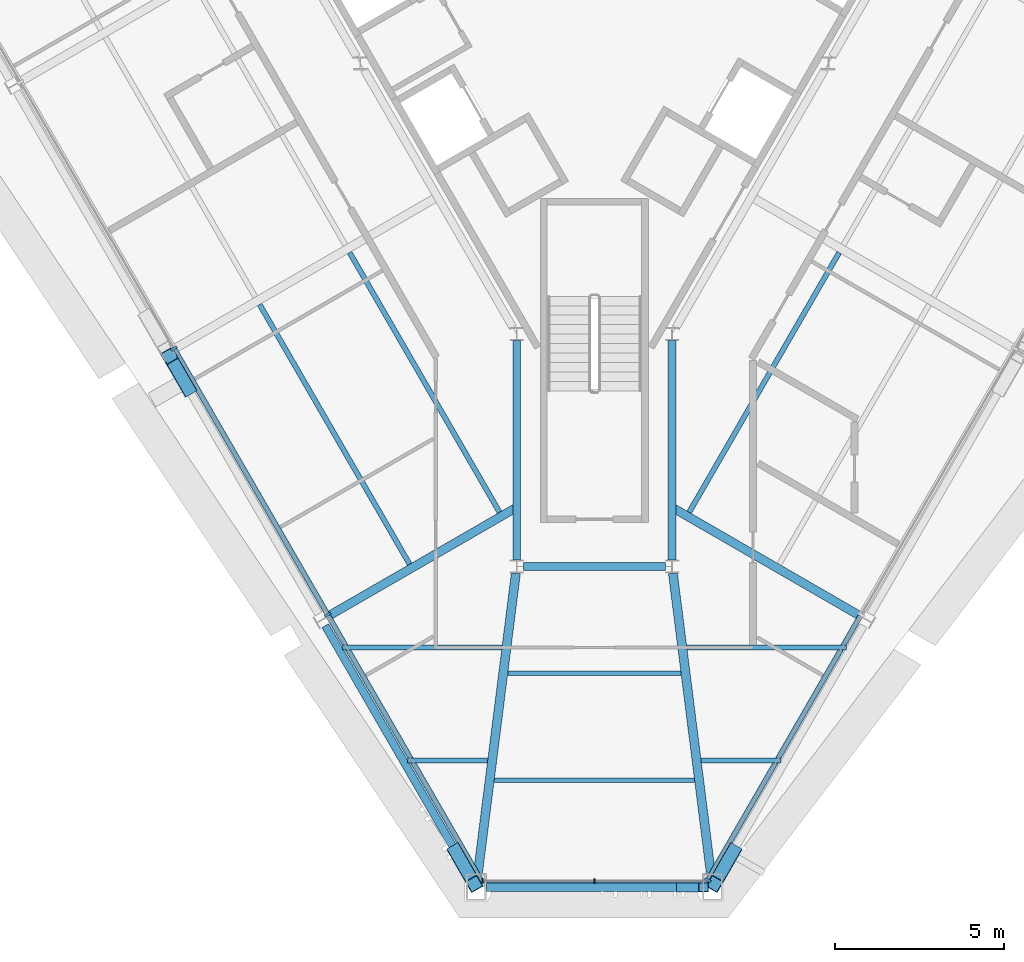
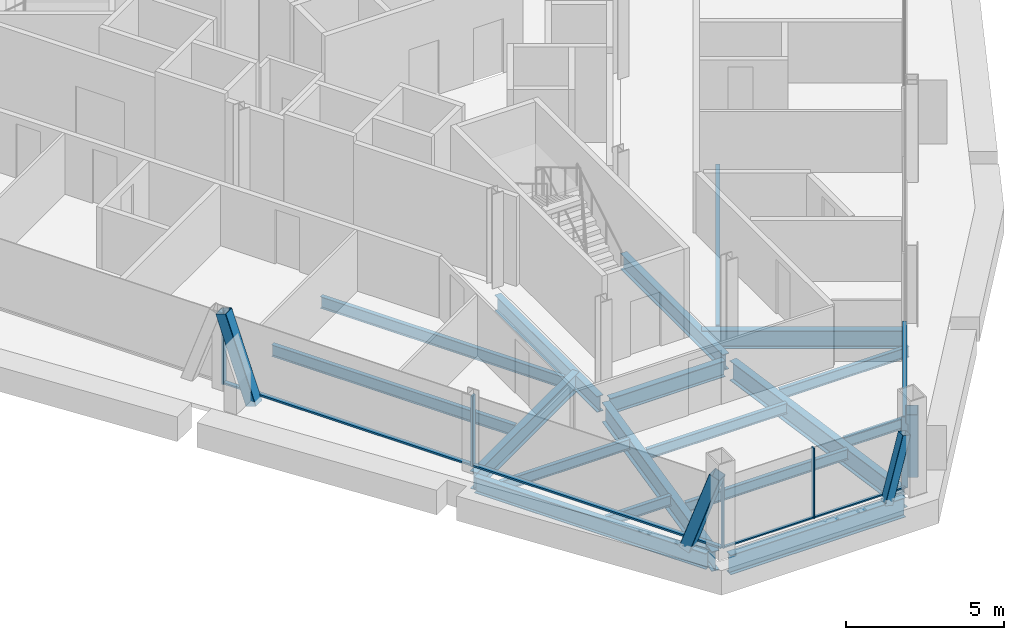
# One storey, part 3 of 15: 18 beams, 14 members, 3 elements without a shape of their own.
"""IFC4 building model written with IfcOpenShell, lengths in metres."""

from ifc_helpers import new_model, si_unit, direction, frame, origin, origin_2d, place, context, subcontext, project, spatial, rectangle, hollow_rectangle, i_section, extrude, material, material_profile, profile_set, type_object, element, aggregate, save


model = new_model("IFC4")

# Units and contexts
model_context = context("Model", 3, precision=1e-05, world=origin(), true_north=direction((0.0, 1.0)))
body_context = subcontext(model_context, "Body", "Model", "MODEL_VIEW")
ifc_project = project(units=[si_unit("LENGTHUNIT", "METRE"), si_unit("AREAUNIT", "SQUARE_METRE"), si_unit("VOLUMEUNIT", "CUBIC_METRE"), si_unit("PLANEANGLEUNIT", "RADIAN"), si_unit("MASSUNIT", "GRAM", prefix="KILO")], contexts=[model_context])

# Site, building, storey
site_placement = place(None, origin())
site = spatial("IfcSite", under=ifc_project, at=site_placement, CompositionType="ELEMENT")
building_placement = place(site_placement, origin())
building = spatial("IfcBuilding", under=site, at=building_placement, Name="Verrane Prism Tower", CompositionType="ELEMENT")
storey_placement = place(building_placement, frame((0.0, 0.0, 254.5)))
storey = spatial("IfcBuildingStorey", under=building, at=storey_placement, Name="L64", CompositionType="ELEMENT", Elevation=254.5)

# Member
ifc_material_1 = material(Name="Steel A500 Grade C", Category="steel")
ifc_material_profile_1 = material_profile(ifc_material_1, hollow_rectangle(XDim=0.3046875, YDim=0.3046875, WallThickness=0.0126953125, InnerFilletRadius=0.00634765625, OuterFilletRadius=0.01904296875, at=origin_2d()), Name="HSS12x12x1/2")
ifc_profile_set_1 = profile_set([ifc_material_profile_1], Name="Steel A500 Grade C")
member_type_1 = type_object("IfcMemberType", Name="Chamfer brace HSS12x12x1/2", PredefinedType="BRACE", material=ifc_profile_set_1)
member_1_placement = place(storey_placement, frame((2.57763671875, -28.389892578125, -0.24267578125), z_axis=(0.253596228194, 0.0, 0.967310163829), x_axis=(0.0, 1.0, 0.0)))
element("IfcMember", 1, at=member_1_placement, inside=storey, type_object=member_type_1, Name="Chamfer brace S0 L64", PredefinedType="BRACE", context=body_context, shape_type="SweptSolid", body=[
    extrude(hollow_rectangle(XDim=0.3046875, YDim=0.3046875, WallThickness=0.0126953125, InnerFilletRadius=0.00634765625, OuterFilletRadius=0.01904296875, at=origin_2d()), origin(), (0.0, 0.0, 1.0), 2.572265625),
])

# Beams
ifc_material_2 = material(Name="Steel A992", Category="steel")
ifc_material_profile_2 = material_profile(ifc_material_2, i_section(OverallWidth=0.2666015625, OverallDepth=0.7568359375, WebThickness=0.013916015625, FlangeThickness=0.019287109375, FilletRadius=0.0166015625, at=origin_2d()), Name="W30x108")
ifc_profile_set_2 = profile_set([ifc_material_profile_2], Name="Steel A992")
beam_type_1 = type_object("IfcBeamType", Name="Chamfer spandrel beam W30x108", PredefinedType="SPANDREL", material=ifc_profile_set_2)
beam_1_placement = place(storey_placement, frame((-3.199951171875, -28.389892578125, -0.53857421875), z_axis=(1.0, 0.0, 0.0), x_axis=(0.0, 1.0, 0.0)))
element("IfcBeam", 2, at=beam_1_placement, inside=storey, type_object=beam_type_1, Name="Chamfer spandrel beam L64", PredefinedType="SPANDREL", context=body_context, shape_type="SweptSolid", body=[
    extrude(i_section(OverallWidth=0.2666015625, OverallDepth=0.7568359375, WebThickness=0.013916015625, FlangeThickness=0.019287109375, FilletRadius=0.0166015625, at=origin_2d()), origin(), (0.0, 0.0, 1.0), 6.39990234375),
])
ifc_material_3 = material(Name="Steel A992", Category="steel")
ifc_material_profile_3 = material_profile(ifc_material_3, i_section(OverallWidth=0.23046875, OverallDepth=0.6171875, WebThickness=0.01318359375, FlangeThickness=0.022216796875, FilletRadius=0.012939453125, at=origin_2d()), Name="W24x94")
ifc_profile_set_3 = profile_set([ifc_material_profile_3], Name="Steel A992")
beam_type_2 = type_object("IfcBeamType", Name="Core ring girder W24x94", PredefinedType="BEAM", material=ifc_profile_set_3)
beam_2_placement = place(storey_placement, frame((-2.300048828125, -12.212890625, -0.55859375), z_axis=(0.0, -1.0, 0.0), x_axis=(1.0, 0.0, 0.0)))
element("IfcBeam", 3, at=beam_2_placement, inside=storey, type_object=beam_type_2, Name="Core ring girder L64", PredefinedType="BEAM", context=body_context, shape_type="SweptSolid", body=[
    extrude(i_section(OverallWidth=0.23046875, OverallDepth=0.6171875, WebThickness=0.01318359375, FlangeThickness=0.022216796875, FilletRadius=0.012939453125, at=origin_2d()), origin(), (0.0, 0.0, 1.0), 6.48779296875),
])
beam_3_placement = place(storey_placement, frame((-2.099365234375, -18.89990234375, -0.55859375), z_axis=(1.0, 0.0, 0.0), x_axis=(0.0, 1.0, 0.0)))
element("IfcBeam", 4, at=beam_3_placement, inside=storey, type_object=beam_type_2, Name="Core ring girder L64", PredefinedType="BEAM", context=body_context, shape_type="SweptSolid", body=[
    extrude(i_section(OverallWidth=0.23046875, OverallDepth=0.6171875, WebThickness=0.01318359375, FlangeThickness=0.022216796875, FilletRadius=0.012939453125, at=origin_2d()), origin(), (0.0, 0.0, 1.0), 4.19873046875),
])
beam_4_placement = place(storey_placement, frame((2.300048828125, -18.70068359375, -0.55859375), z_axis=(0.0, 1.0, 0.0), x_axis=(-1.0, 0.0, 0.0)))
element("IfcBeam", 5, at=beam_4_placement, inside=storey, type_object=beam_type_2, Name="Core ring girder L64", PredefinedType="BEAM", context=body_context, shape_type="SweptSolid", body=[
    extrude(i_section(OverallWidth=0.23046875, OverallDepth=0.6171875, WebThickness=0.01318359375, FlangeThickness=0.022216796875, FilletRadius=0.012939453125, at=origin_2d()), origin(), (0.0, 0.0, 1.0), 6.48779296875),
])
ifc_material_4 = material(Name="Steel A992", Category="steel")
ifc_material_profile_4 = material_profile(ifc_material_4, i_section(OverallWidth=0.2666015625, OverallDepth=0.76708984375, WebThickness=0.014892578125, FlangeThickness=0.023681640625, FilletRadius=0.0166015625, at=origin_2d()), Name="W30x124")
ifc_profile_set_4 = profile_set([ifc_material_profile_4], Name="Steel A992")
beam_type_3 = type_object("IfcBeamType", Name="Corner girder W30x124", PredefinedType="BEAM", material=ifc_profile_set_4)
for number, where, z_axis, x_axis, name in (
    (6, (-3.449462890625, -27.989990234375, -0.603515625), (0.125456298636, 0.992099146826, 0.0), (-0.992099146826, 0.125456298636, 0.0), "Corner girder L64"),
    (7, (3.449462890625, -27.989990234375, -0.603515625), (-0.125456298636, 0.992099146826, 0.0), (-0.992099146826, -0.125456298636, 0.0), "Corner girder L64"),
):
    element("IfcBeam", number, at=place(storey_placement, frame(where, z_axis=z_axis, x_axis=x_axis)), inside=storey, type_object=beam_type_3, Name=name, PredefinedType="BEAM", context=body_context, shape_type="SweptSolid", body=[
        extrude(i_section(OverallWidth=0.2666015625, OverallDepth=0.76708984375, WebThickness=0.014892578125, FlangeThickness=0.023681640625, FilletRadius=0.0166015625, at=origin_2d()), origin(), (0.0, 0.0, 1.0), 8.96142578125),
    ])

# Members
ifc_material_5 = material(Name="Steel A500 Grade C", Category="steel")
ifc_material_profile_5 = material_profile(ifc_material_5, hollow_rectangle(XDim=0.406494140625, YDim=0.406494140625, WallThickness=0.01904296875, InnerFilletRadius=0.009521484375, OuterFilletRadius=0.028564453125, at=origin_2d()), Name="HSS16x16x3/4")
ifc_profile_set_5 = profile_set([ifc_material_profile_5], Name="Steel A500 Grade C")
member_type_2 = type_object("IfcMemberType", Name="Facade brace HSS16x16x3/4", PredefinedType="BRACE", material=ifc_profile_set_5)
member_2_placement = place(storey_placement, frame((-12.031005859375, -13.6240234375, -0.216796875), z_axis=(-0.164129540622, 0.284853520612, 0.94441514478), x_axis=(-0.8664606706, -0.499245336787, 0.0)))
element("IfcMember", 8, at=member_2_placement, inside=storey, type_object=member_type_2, Name="Facade brace SW3 L64", PredefinedType="BRACE", context=body_context, shape_type="SweptSolid", body=[
    extrude(hollow_rectangle(XDim=0.406494140625, YDim=0.406494140625, WallThickness=0.01904296875, InnerFilletRadius=0.009521484375, OuterFilletRadius=0.028564453125, at=origin_2d()), origin(), (0.0, 0.0, 1.0), 3.369140625),
])
for number, where, z_axis, x_axis, name in (
    (9, (-4.10888671875, -27.336181640625, -0.216796875), (0.163810229804, -0.28559925957, 0.944245344995), (0.867443060092, 0.497536468511, 0.0), "Facade brace SW4 L64"),
    (10, (4.10888671875, -27.336181640625, -0.216796875), (-0.163810229804, -0.28559925957, 0.944245344995), (0.867443060092, -0.497536468511, 0.0), "Facade brace SE0 L64"),
):
    element("IfcMember", number, at=place(storey_placement, frame(where, z_axis=z_axis, x_axis=x_axis)), inside=storey, type_object=member_type_2, Name=name, PredefinedType="BRACE", context=body_context, shape_type="SweptSolid", body=[
        extrude(hollow_rectangle(XDim=0.406494140625, YDim=0.406494140625, WallThickness=0.01904296875, InnerFilletRadius=0.009521484375, OuterFilletRadius=0.028564453125, at=origin_2d()), origin(), (0.0, 0.0, 1.0), 3.369873046875),
    ])

# Beams
ifc_material_6 = material(Name="Steel A992", Category="steel")
ifc_material_profile_6 = material_profile(ifc_material_6, i_section(OverallWidth=0.140380859375, OverallDepth=0.40380859375, WebThickness=0.007080078125, FlangeThickness=0.01123046875, FilletRadius=0.01025390625, at=origin_2d()), Name="W16x31")
ifc_profile_set_6 = profile_set([ifc_material_profile_6], Name="Steel A992")
beam_type_4 = type_object("IfcBeamType", Name="Floor beam W16x31", PredefinedType="BEAM", material=ifc_profile_set_6)
beam_5_placement = place(storey_placement, frame((-5.53173828125, -24.643310546875, -0.36181640625), z_axis=(1.0, 0.0, 0.0), x_axis=(0.0, 1.0, 0.0)))
element("IfcBeam", 11, at=beam_5_placement, inside=storey, type_object=beam_type_4, Name="Floor beam L64", PredefinedType="BEAM", context=body_context, shape_type="SweptSolid", body=[
    extrude(i_section(OverallWidth=0.140380859375, OverallDepth=0.40380859375, WebThickness=0.007080078125, FlangeThickness=0.01123046875, FilletRadius=0.01025390625, at=origin_2d()), origin(), (0.0, 0.0, 1.0), 2.370849609375),
])
beam_6_placement = place(storey_placement, frame((-7.46533203125, -21.296630859375, -0.36181640625), z_axis=(1.0, 0.0, 0.0), x_axis=(0.0, 1.0, 0.0)))
element("IfcBeam", 12, at=beam_6_placement, inside=storey, type_object=beam_type_4, Name="Floor beam L64", PredefinedType="BEAM", context=body_context, shape_type="SweptSolid", body=[
    extrude(i_section(OverallWidth=0.140380859375, OverallDepth=0.40380859375, WebThickness=0.007080078125, FlangeThickness=0.01123046875, FilletRadius=0.01025390625, at=origin_2d()), origin(), (0.0, 0.0, 1.0), 4.727783203125),
])
beam_7_placement = place(storey_placement, frame((3.160888671875, -24.643310546875, -0.36181640625), z_axis=(1.0, 0.0, 0.0), x_axis=(0.0, 1.0, 0.0)))
element("IfcBeam", 13, at=beam_7_placement, inside=storey, type_object=beam_type_4, Name="Floor beam L64", PredefinedType="BEAM", context=body_context, shape_type="SweptSolid", body=[
    extrude(i_section(OverallWidth=0.140380859375, OverallDepth=0.40380859375, WebThickness=0.007080078125, FlangeThickness=0.01123046875, FilletRadius=0.01025390625, at=origin_2d()), origin(), (0.0, 0.0, 1.0), 2.370849609375),
])
beam_8_placement = place(storey_placement, frame((2.737548828125, -21.296630859375, -0.36181640625), z_axis=(1.0, 0.0, 0.0), x_axis=(0.0, 1.0, 0.0)))
element("IfcBeam", 14, at=beam_8_placement, inside=storey, type_object=beam_type_4, Name="Floor beam L64", PredefinedType="BEAM", context=body_context, shape_type="SweptSolid", body=[
    extrude(i_section(OverallWidth=0.140380859375, OverallDepth=0.40380859375, WebThickness=0.007080078125, FlangeThickness=0.01123046875, FilletRadius=0.01025390625, at=origin_2d()), origin(), (0.0, 0.0, 1.0), 4.727783203125),
])
beam_9_placement = place(storey_placement, frame((-2.96533203125, -25.226806640625, -0.36181640625), z_axis=(1.0, 0.0, 0.0), x_axis=(0.0, 1.0, 0.0)))
element("IfcBeam", 15, at=beam_9_placement, inside=storey, type_object=beam_type_4, Name="Floor beam L64", PredefinedType="BEAM", context=body_context, shape_type="SweptSolid", body=[
    extrude(i_section(OverallWidth=0.140380859375, OverallDepth=0.40380859375, WebThickness=0.007080078125, FlangeThickness=0.01123046875, FilletRadius=0.01025390625, at=origin_2d()), origin(), (0.0, 0.0, 1.0), 5.9306640625),
])
beam_10_placement = place(storey_placement, frame((-2.5654296875, -22.063232421875, -0.36181640625), z_axis=(1.0, 0.0, 0.0), x_axis=(0.0, 1.0, 0.0)))
element("IfcBeam", 16, at=beam_10_placement, inside=storey, type_object=beam_type_4, Name="Floor beam L64", PredefinedType="BEAM", context=body_context, shape_type="SweptSolid", body=[
    extrude(i_section(OverallWidth=0.140380859375, OverallDepth=0.40380859375, WebThickness=0.007080078125, FlangeThickness=0.01123046875, FilletRadius=0.01025390625, at=origin_2d()), origin(), (0.0, 0.0, 1.0), 5.130859375),
])
ifc_material_7 = material(Name="Steel A992", Category="steel")
ifc_material_profile_7 = material_profile(ifc_material_7, i_section(OverallWidth=0.15234375, OverallDepth=0.449462890625, WebThickness=0.007568359375, FlangeThickness=0.0107421875, FilletRadius=0.01025390625, at=origin_2d()), Name="W18x35")
ifc_profile_set_7 = profile_set([ifc_material_profile_7], Name="Steel A992")
beam_type_5 = type_object("IfcBeamType", Name="Floor beam W18x35", PredefinedType="BEAM", material=ifc_profile_set_7)
beam_11_placement = place(storey_placement, frame((-2.806640625, -17.295654296875, -0.384765625), z_axis=(-0.499997714797, 0.866026723143, 0.0), x_axis=(-0.866026723143, -0.499997714797, 0.0)))
element("IfcBeam", 17, at=beam_11_placement, inside=storey, type_object=beam_type_5, Name="Floor beam L64", PredefinedType="BEAM", context=body_context, shape_type="SweptSolid", body=[
    extrude(i_section(OverallWidth=0.15234375, OverallDepth=0.449462890625, WebThickness=0.007568359375, FlangeThickness=0.0107421875, FilletRadius=0.01025390625, at=origin_2d()), origin(), (0.0, 0.0, 1.0), 8.88037109375),
])
beam_12_placement = place(storey_placement, frame((-5.47119140625, -18.83349609375, -0.384765625), z_axis=(-0.50000642917, 0.866021691869, 0.0), x_axis=(-0.866021691869, -0.50000642917, 0.0)))
element("IfcBeam", 18, at=beam_12_placement, inside=storey, type_object=beam_type_5, Name="Floor beam L64", PredefinedType="BEAM", context=body_context, shape_type="SweptSolid", body=[
    extrude(i_section(OverallWidth=0.15234375, OverallDepth=0.449462890625, WebThickness=0.007568359375, FlangeThickness=0.0107421875, FilletRadius=0.01025390625, at=origin_2d()), origin(), (0.0, 0.0, 1.0), 8.880859375),
])
beam_13_placement = place(storey_placement, frame((2.806640625, -17.295654296875, -0.384765625), z_axis=(0.499997714797, 0.866026723143, 0.0), x_axis=(-0.866026723143, 0.499997714797, 0.0)))
element("IfcBeam", 19, at=beam_13_placement, inside=storey, type_object=beam_type_5, Name="Floor beam L64", PredefinedType="BEAM", context=body_context, shape_type="SweptSolid", body=[
    extrude(i_section(OverallWidth=0.15234375, OverallDepth=0.449462890625, WebThickness=0.007568359375, FlangeThickness=0.0107421875, FilletRadius=0.01025390625, at=origin_2d()), origin(), (0.0, 0.0, 1.0), 8.88037109375),
])

# Curtain wall, members
ifc_material_8 = material(Name="Aluminium framed insulated glazing", Category="aluminium")
curtain_wall_type_1 = type_object("IfcCurtainWallType", Name="Curtain wall CW-C 4200 module", PredefinedType="NOTDEFINED", material=ifc_material_8)
curtain_wall_1_placement = place(storey_placement, origin())
curtain_wall_1 = element("IfcCurtainWall", 20, at=curtain_wall_1_placement, inside=storey, type_object=curtain_wall_type_1, Name="Glazed curtain wall south corner L64", PredefinedType="NOTDEFINED")
ifc_material_9 = material(Name="Aluminium alloy 6063-T6", Category="aluminium")
ifc_material_profile_8 = material_profile(ifc_material_9, rectangle(XDim=0.139892578125, YDim=0.050048828125, at=origin_2d()), Name="Mullion 50x140 aluminium")
ifc_profile_set_8 = profile_set([ifc_material_profile_8], Name="Aluminium alloy 6063-T6")
member_type_3 = type_object("IfcMemberType", Name="Mullion 50x140 aluminium", PredefinedType="MULLION", material=ifc_profile_set_8)
member_3_placement = place(storey_placement, frame((-3.31689453125, -28.215087890625, 0.0), z_axis=(0.0, 0.0, 1.0), x_axis=(0.0, 1.0, 0.0)))
member_3 = element("IfcMember", 21, at=member_3_placement, type_object=member_type_3, Name="CW62.5 mullion 1", PredefinedType="MULLION", context=body_context, shape_type="SweptSolid", body=[
    extrude(rectangle(XDim=0.139892578125, YDim=0.050048828125, at=origin_2d()), origin(), (0.0, 0.0, 1.0), 2.712890625),
])
member_4_placement = place(storey_placement, frame((0.0, -28.215087890625, 0.0), z_axis=(0.0, 0.0, 1.0), x_axis=(0.0, 1.0, 0.0)))
member_4 = element("IfcMember", 22, at=member_4_placement, type_object=member_type_3, Name="CW62.5 mullion 2", PredefinedType="MULLION", context=body_context, shape_type="SweptSolid", body=[
    extrude(rectangle(XDim=0.139892578125, YDim=0.050048828125, at=origin_2d()), origin(), (0.0, 0.0, 1.0), 2.712890625),
])

ifc_material_10 = material(Name="Aluminium framed insulated glazing", Category="aluminium")
curtain_wall_type_2 = type_object("IfcCurtainWallType", Name="Curtain wall CW-A 8400 module", PredefinedType="NOTDEFINED", material=ifc_material_10)
curtain_wall_2_placement = place(storey_placement, origin())
curtain_wall_2 = element("IfcCurtainWall", 23, at=curtain_wall_2_placement, inside=storey, type_object=curtain_wall_type_2, Name="Glazed curtain wall south-west face L64", PredefinedType="NOTDEFINED")
ifc_material_11 = material(Name="Aluminium alloy 6063-T6", Category="aluminium")
ifc_material_profile_9 = material_profile(ifc_material_11, rectangle(XDim=0.199951171875, YDim=0.070068359375, at=origin_2d()), Name="Mullion 70x200 aluminium")
ifc_profile_set_9 = profile_set([ifc_material_profile_9], Name="Aluminium alloy 6063-T6")
member_type_4 = type_object("IfcMemberType", Name="Mullion 70x200 aluminium", PredefinedType="MULLION", material=ifc_profile_set_9)
member_5_placement = place(storey_placement, frame((-12.447509765625, -12.44384765625, 0.0), z_axis=(0.0, 0.0, 1.0), x_axis=(0.866025525748, 0.499999788753, 0.0)))
member_5 = element("IfcMember", 24, at=member_5_placement, type_object=member_type_4, Name="CW62.4 mullion 4", PredefinedType="MULLION", context=body_context, shape_type="SweptSolid", body=[
    extrude(rectangle(XDim=0.199951171875, YDim=0.070068359375, at=origin_2d()), origin(), (0.0, 0.0, 1.0), 2.712890625),
])
member_6_placement = place(storey_placement, frame((-7.894775390625, -20.32958984375, 0.0), z_axis=(0.0, 0.0, 1.0), x_axis=(0.866025525748, 0.499999788753, 0.0)))
member_6 = element("IfcMember", 25, at=member_6_placement, type_object=member_type_4, Name="CW62.4 mullion 5", PredefinedType="MULLION", context=body_context, shape_type="SweptSolid", body=[
    extrude(rectangle(XDim=0.199951171875, YDim=0.070068359375, at=origin_2d()), origin(), (0.0, 0.0, 1.0), 2.712890625),
])

# Curtain wall, member
curtain_wall_3_placement = place(storey_placement, origin())
curtain_wall_3 = element("IfcCurtainWall", 26, at=curtain_wall_3_placement, inside=storey, type_object=curtain_wall_type_2, Name="Glazed curtain wall south-east face L64", PredefinedType="NOTDEFINED")
member_7_placement = place(storey_placement, frame((3.359375, -28.184814453125, 0.0), z_axis=(0.0, 0.0, 1.0), x_axis=(-0.866025525748, 0.499999788753, 0.0)))
member_7 = element("IfcMember", 27, at=member_7_placement, type_object=member_type_4, Name="CW62.6 mullion 1", PredefinedType="MULLION", context=body_context, shape_type="SweptSolid", body=[
    extrude(rectangle(XDim=0.199951171875, YDim=0.070068359375, at=origin_2d()), origin(), (0.0, 0.0, 1.0), 2.712890625),
])

# Beams
ifc_material_12 = material(Name="Steel A992", Category="steel")
ifc_material_profile_10 = material_profile(ifc_material_12, i_section(OverallWidth=0.25390625, OverallDepth=0.683349609375, WebThickness=0.012451171875, FlangeThickness=0.01904296875, FilletRadius=0.01513671875, at=origin_2d()), Name="W27x94")
ifc_profile_set_10 = profile_set([ifc_material_profile_10], Name="Steel A992")
beam_type_6 = type_object("IfcBeamType", Name="Radial girder W27x94", PredefinedType="BEAM", material=ifc_profile_set_10)
for number, where, z_axis, x_axis, name in (
    (28, (-7.90283203125, -20.383544921875, -0.5615234375), (0.866019052629, 0.500011000363, 0.0), (-0.500011000363, 0.866019052629, 0.0), "Radial girder L64"),
    (29, (7.90283203125, -20.383544921875, -0.5615234375), (-0.866019052629, 0.500011000363, 0.0), (-0.500011000363, -0.866019052629, 0.0), "Radial girder L64"),
):
    element("IfcBeam", number, at=place(storey_placement, frame(where, z_axis=z_axis, x_axis=x_axis)), inside=storey, type_object=beam_type_6, Name=name, PredefinedType="BEAM", context=body_context, shape_type="SweptSolid", body=[
        extrude(i_section(OverallWidth=0.25390625, OverallDepth=0.683349609375, WebThickness=0.012451171875, FlangeThickness=0.01904296875, FilletRadius=0.01513671875, at=origin_2d()), origin(), (0.0, 0.0, 1.0), 6.469482421875),
    ])
ifc_material_13 = material(Name="Steel A992", Category="steel")
ifc_material_profile_11 = material_profile(ifc_material_13, i_section(OverallWidth=0.23046875, OverallDepth=0.6171875, WebThickness=0.01318359375, FlangeThickness=0.022216796875, FilletRadius=0.012939453125, at=origin_2d()), Name="W24x94")
ifc_profile_set_11 = profile_set([ifc_material_profile_11], Name="Steel A992")
beam_type_7 = type_object("IfcBeamType", Name="Spandrel beam W24x94", PredefinedType="SPANDREL", material=ifc_profile_set_11)
beam_14_placement = place(storey_placement, frame((-7.97021484375, -20.652587890625, -0.468505859375), z_axis=(0.500244477186, -0.865884208797, 0.0), x_axis=(0.865884208797, 0.500244477186, 0.0)))
element("IfcBeam", 30, at=beam_14_placement, inside=storey, type_object=beam_type_7, Name="Spandrel beam L64", PredefinedType="SPANDREL", context=body_context, shape_type="SweptSolid", body=[
    extrude(i_section(OverallWidth=0.23046875, OverallDepth=0.6171875, WebThickness=0.01318359375, FlangeThickness=0.022216796875, FilletRadius=0.012939453125, at=origin_2d()), origin(), (0.0, 0.0, 1.0), 8.473876953125),
])

# Member
ifc_material_14 = material(Name="Aluminium alloy 6063-T6", Category="aluminium")
ifc_material_profile_12 = material_profile(ifc_material_14, rectangle(XDim=0.10009765625, YDim=0.050048828125, at=origin_2d()), Name="Transom 50x100 aluminium")
ifc_profile_set_12 = profile_set([ifc_material_profile_12], Name="Aluminium alloy 6063-T6")
member_type_5 = type_object("IfcMemberType", Name="Transom 50x100 aluminium", PredefinedType="USERDEFINED", material=ifc_profile_set_12)
member_8_placement = place(storey_placement, frame((-3.2919921875, -28.215087890625, 0.02490234375), z_axis=(1.0, 0.0, 0.0), x_axis=(0.0, 1.0, 0.0)))
member_8 = element("IfcMember", 31, at=member_8_placement, type_object=member_type_5, Name="CW62.5 transom 1", ObjectType="TRANSOM", PredefinedType="USERDEFINED", context=body_context, shape_type="SweptSolid", body=[
    extrude(rectangle(XDim=0.10009765625, YDim=0.050048828125, at=origin_2d()), origin(), (0.0, 0.0, 1.0), 3.26708984375),
])

member_9_placement = place(storey_placement, frame((0.02490234375, -28.215087890625, 0.02490234375), z_axis=(1.0, 0.0, 0.0), x_axis=(0.0, 1.0, 0.0)))
member_9 = element("IfcMember", 32, at=member_9_placement, type_object=member_type_5, Name="CW62.5 transom 2", ObjectType="TRANSOM", PredefinedType="USERDEFINED", context=body_context, shape_type="SweptSolid", body=[
    extrude(rectangle(XDim=0.10009765625, YDim=0.050048828125, at=origin_2d()), origin(), (0.0, 0.0, 1.0), 3.31689453125),
])

aggregate(curtain_wall_1, [member_3, member_4, member_8, member_9])

ifc_material_15 = material(Name="Aluminium alloy 6063-T6", Category="aluminium")
ifc_material_profile_13 = material_profile(ifc_material_15, rectangle(XDim=0.14990234375, YDim=0.070068359375, at=origin_2d()), Name="Transom 70x150 aluminium")
ifc_profile_set_13 = profile_set([ifc_material_profile_13], Name="Aluminium alloy 6063-T6")
member_type_6 = type_object("IfcMemberType", Name="Transom 70x150 aluminium", PredefinedType="USERDEFINED", material=ifc_profile_set_13)
member_10_placement = place(storey_placement, frame((-12.429931640625, -12.47412109375, 0.034912109375), z_axis=(0.500007022283, -0.866021349429, 0.0), x_axis=(0.866021349429, 0.500007022283, 0.0)))
member_10 = element("IfcMember", 33, at=member_10_placement, type_object=member_type_6, Name="CW62.4 transom 4", ObjectType="TRANSOM", PredefinedType="USERDEFINED", context=body_context, shape_type="SweptSolid", body=[
    extrude(rectangle(XDim=0.14990234375, YDim=0.070068359375, at=origin_2d()), origin(), (0.0, 0.0, 1.0), 9.035400390625),
])

member_11_placement = place(storey_placement, frame((-7.877197265625, -20.35986328125, 0.034912109375), z_axis=(0.5000152428, -0.866016603171, 0.0), x_axis=(0.866016603171, 0.5000152428, 0.0)))
member_11 = element("IfcMember", 34, at=member_11_placement, type_object=member_type_6, Name="CW62.4 transom 5", ObjectType="TRANSOM", PredefinedType="USERDEFINED", context=body_context, shape_type="SweptSolid", body=[
    extrude(rectangle(XDim=0.14990234375, YDim=0.070068359375, at=origin_2d()), origin(), (0.0, 0.0, 1.0), 9.070556640625),
])

aggregate(curtain_wall_2, [member_5, member_6, member_10, member_11])

member_12_placement = place(storey_placement, frame((3.376953125, -28.154541015625, 0.034912109375), z_axis=(0.499998737774, 0.86602613253, 0.0), x_axis=(-0.86602613253, 0.499998737774, 0.0)))
member_12 = element("IfcMember", 35, at=member_12_placement, type_object=member_type_6, Name="CW62.6 transom 1", ObjectType="TRANSOM", PredefinedType="USERDEFINED", context=body_context, shape_type="SweptSolid", body=[
    extrude(rectangle(XDim=0.14990234375, YDim=0.070068359375, at=origin_2d()), origin(), (0.0, 0.0, 1.0), 9.00048828125),
])

aggregate(curtain_wall_3, [member_7, member_12])

save(model, "model.ifc")
